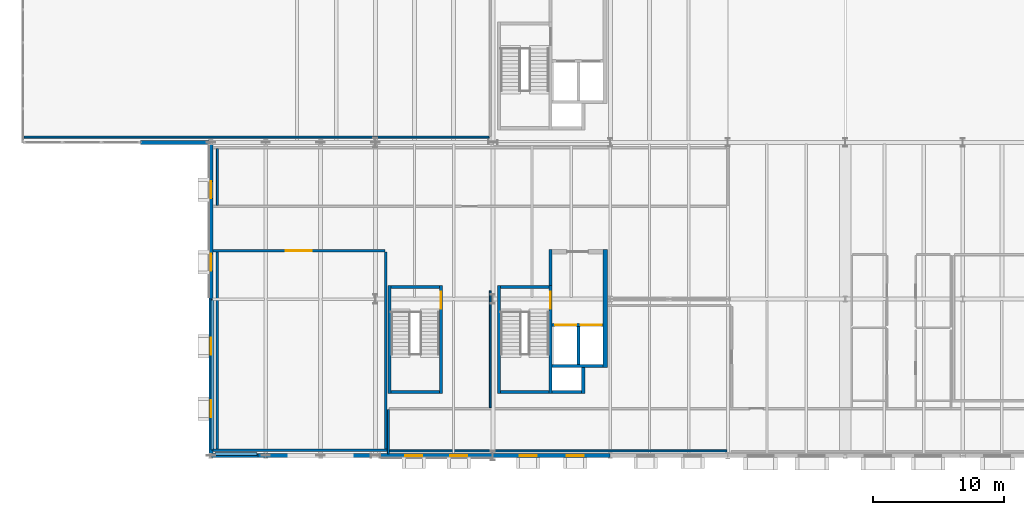
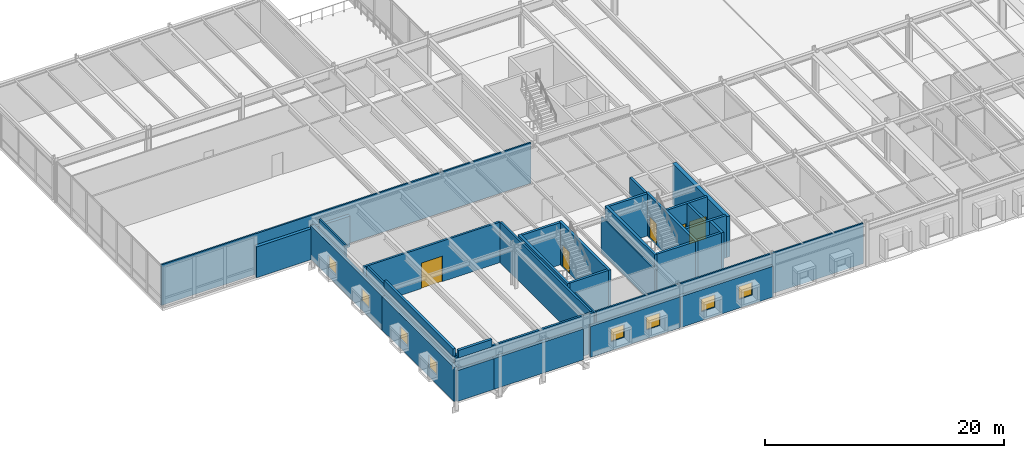
# One storey, part 102 of 115: 33 walls, 8 windows, 5 doors, 13 openings.
"""IFC4 building model written with IfcOpenShell, lengths in metres."""

from ifc_helpers import new_model, si_unit, direction, frame, frame_2d, origin, place, context, subcontext, project, spatial, rectangle, extrude, material, layer, layer_set, type_object, element, fill, save


model = new_model("IFC4")

# Units and contexts
model_context = context("Model", 3, precision=1e-05, world=origin(), true_north=direction((0.0, 1.0)))
body_context = subcontext(model_context, "Body", "Model", "MODEL_VIEW")
ifc_project = project(units=[si_unit("LENGTHUNIT", "METRE"), si_unit("AREAUNIT", "SQUARE_METRE"), si_unit("VOLUMEUNIT", "CUBIC_METRE"), si_unit("PLANEANGLEUNIT", "RADIAN"), si_unit("MASSUNIT", "GRAM", prefix="KILO")], contexts=[model_context])

# Site, building, storey
site_placement = place(None, origin())
site = spatial("IfcSite", under=ifc_project, at=site_placement, CompositionType="ELEMENT")
building_placement = place(site_placement, origin())
building = spatial("IfcBuilding", under=site, at=building_placement, Name="Montelvaro Courts of Justice", CompositionType="ELEMENT")
storey_placement = place(building_placement, frame((0.0, 0.0, 9.89990234375)))
storey = spatial("IfcBuildingStorey", under=building, at=storey_placement, Name="L02", CompositionType="ELEMENT", Elevation=9.89990234375)

# Walls
ifc_material_1 = material(Name="Gypsum board on metal stud")
ifc_layer_1 = layer(ifc_material_1, 0.14990234375)
ifc_layer_set_1 = layer_set([ifc_layer_1], Name="Gypsum board on metal stud")
wall_type_1 = type_object("IfcWallType", Name="ChambersPartition_150", PredefinedType="PARTITIONING", material=ifc_layer_set_1)
wall_1_placement = place(storey_placement, frame((71.919921875, 0.360107421875, 0.0), z_axis=(0.0, 0.0, 1.0), x_axis=(-1.0, 0.0, 0.0)))
element("IfcWall", 1, at=wall_1_placement, inside=storey, type_object=wall_type_1, Name="Interior Partition IW-04 (L02)", PredefinedType="PARTITIONING", context=body_context, shape_type="SweptSolid", body=[
    extrude(rectangle(XDim=25.83984375, YDim=0.14990234375, at=frame_2d((12.919921875, 0.0))), origin(), (0.0, 0.0, 1.0), 4.14013671875),
])
wall_2_placement = place(storey_placement, frame((46.0, 0.14501953125, 0.0), z_axis=(0.0, 0.0, 1.0), x_axis=(0.0, 1.0, 0.0)))
element("IfcWall", 2, at=wall_2_placement, inside=storey, type_object=wall_type_1, Name="Interior Partition IW-04 (L02)", PredefinedType="PARTITIONING", context=body_context, shape_type="SweptSolid", body=[
    extrude(rectangle(XDim=3.375, YDim=0.14990234375, at=frame_2d((1.6875, 0.0))), origin(), (0.0, 0.0, 1.0), 4.14013671875),
])
wall_3_placement = place(storey_placement, frame((53.719970703125, 24.39990234375, 0.0), z_axis=(0.0, 0.0, 1.0), x_axis=(-1.0, 0.0, 0.0)))
element("IfcWall", 3, at=wall_3_placement, inside=storey, type_object=wall_type_1, Name="Interior Partition IW-04 (L02)", PredefinedType="PARTITIONING", context=body_context, shape_type="SweptSolid", body=[
    extrude(rectangle(XDim=35.64501953125, YDim=0.14990234375, at=frame_2d((17.822509765625, 0.0))), origin(), (0.0, 0.0, 1.0), 4.14013671875),
])
wall_4_placement = place(storey_placement, frame((32.89990234375, 19.169921875, 0.0), z_axis=(0.0, 0.0, 1.0), x_axis=(0.0, 1.0, 0.0)))
element("IfcWall", 4, at=wall_4_placement, inside=storey, type_object=wall_type_1, Name="Interior Partition IW-04 (L02)", PredefinedType="PARTITIONING", context=body_context, shape_type="SweptSolid", body=[
    extrude(rectangle(XDim=4.360107421875, YDim=0.14990234375, at=frame_2d((2.18017578125, 0.0))), origin(), (0.0, 0.0, 1.0), 4.14013671875),
])
ifc_material_2 = material(Name="Concrete C40/50", Category="concrete")
ifc_layer_2 = layer(ifc_material_2, 0.360107421875)
ifc_layer_set_2 = layer_set([ifc_layer_2], Name="Concrete C40/50")
wall_type_2 = type_object("IfcWallType", Name="CoreWall_360", PredefinedType="SHEAR", material=ifc_layer_set_2)
wall_5_placement = place(storey_placement, frame((62.6201171875, 6.760009765625, 0.0), z_axis=(0.0, 0.0, 1.0), x_axis=(0.0, 1.0, 0.0)))
element("IfcWall", 5, at=wall_5_placement, inside=storey, type_object=wall_type_2, Name="Core Shear Wall CW-01 K1-E (L02)", PredefinedType="SHEAR", context=body_context, shape_type="SweptSolid", body=[
    extrude(rectangle(XDim=9.0400390625, YDim=0.360107421875, at=frame_2d((4.52001953125, 0.0))), origin(), (0.0, 0.0, 1.0), 4.16015625),
])
ifc_material_3 = material(Name="Gypsum acoustic double stud with mineral wool")
ifc_layer_3 = layer(ifc_material_3, 0.199951171875)
ifc_layer_set_3 = layer_set([ifc_layer_3], Name="Gypsum acoustic double stud with mineral wool")
wall_type_3 = type_object("IfcWallType", Name="CourtAcousticWall_200", PredefinedType="PARTITIONING", material=ifc_layer_set_3)
wall_6_placement = place(storey_placement, frame((45.929931640625, 0.39990234375, 0.0), z_axis=(0.0, 0.0, 1.0), x_axis=(-1.0, 0.0, 0.0)))
element("IfcWall", 6, at=wall_6_placement, inside=storey, type_object=wall_type_3, Name="Interior Partition IW-01 (L02)", PredefinedType="PARTITIONING", context=body_context, shape_type="SweptSolid", body=[
    extrude(rectangle(XDim=13.385009765625, YDim=0.199951171875, at=frame_2d((6.6923828125, 0.0))), origin(), (0.0, 0.0, 1.0), 4.14013671875),
])
wall_7_placement = place(storey_placement, frame((32.89990234375, 0.47998046875, 0.0), z_axis=(0.0, 0.0, 1.0), x_axis=(0.0, 1.0, 0.0)))
element("IfcWall", 7, at=wall_7_placement, inside=storey, type_object=wall_type_3, Name="Interior Partition IW-01 (L02)", PredefinedType="PARTITIONING", context=body_context, shape_type="SweptSolid", body=[
    extrude(rectangle(XDim=15.14013671875, YDim=0.199951171875, at=frame_2d((7.570068359375, 0.0))), origin(), (0.0, 0.0, 1.0), 4.14013671875),
])

# Wall, opening, door
wall_8_placement = place(storey_placement, frame((32.544921875, 15.699951171875, 0.0), z_axis=(0.0, 0.0, 1.0), x_axis=(1.0, 0.0, 0.0)))
wall_8 = element("IfcWall", 8, at=wall_8_placement, inside=storey, type_object=wall_type_3, Name="Interior Partition IW-01 (L02)", PredefinedType="PARTITIONING", context=body_context, shape_type="SweptSolid", body=[
    extrude(rectangle(XDim=13.175048828125, YDim=0.199951171875, at=frame_2d((6.58740234375, 0.0))), origin(), (0.0, 0.0, 1.0), 4.14013671875),
])
opening_1_placement = place(wall_8_placement, frame((5.5869140625, 0.0, 0.0)))
opening_1 = element("IfcOpeningElement", 9, at=opening_1_placement, cuts=wall_8, Name="Opening D-L02-096", PredefinedType="OPENING", context=body_context, shape_type="SweptSolid", body=[
    extrude(rectangle(XDim=2.0, YDim=2.60009765625, at=frame_2d((1.0, 1.300048828125))), frame((0.0, 0.11474609375, 0.0), z_axis=(0.0, -1.0, 0.0), x_axis=(1.0, 0.0, 0.0)), (0.0, 0.0, 1.0), 0.229736328125),
])
ifc_material_4 = material(Name="Acoustic oak timber veneer", Category="wood")
door_type_1 = type_object("IfcDoorType", Name="CourtDoor_200x260", OperationType="DOUBLE_DOOR_SINGLE_SWING", PredefinedType="DOOR", material=ifc_material_4)
door_1_placement = place(opening_1_placement, origin())
door_1 = element("IfcDoor", 10, at=door_1_placement, inside=storey, type_object=door_type_1, Name="Interior Door D-L02-096 (West Cantilever Civil Hearing Room 11)", OperationType="DOUBLE_DOOR_SINGLE_SWING", OverallHeight=2.60009765625, OverallWidth=2.0, PredefinedType="DOOR", context=body_context, shape_type="SweptSolid", body=[
    extrude(rectangle(XDim=2.0, YDim=2.60009765625, at=frame_2d((1.0, 1.300048828125))), frame((0.0, 0.02490234375, 0.0), z_axis=(0.0, -1.0, 0.0), x_axis=(1.0, 0.0, 0.0)), (0.0, 0.0, 1.0), 0.050048828125),
])
fill(opening_1, door_1)

# Walls
wall_9_placement = place(storey_placement, frame((45.800048828125, 15.6201171875, 0.0), z_axis=(0.0, 0.0, 1.0), x_axis=(0.0, -1.0, 0.0)))
element("IfcWall", 11, at=wall_9_placement, inside=storey, type_object=wall_type_3, Name="Interior Partition IW-01 (L02)", PredefinedType="PARTITIONING", context=body_context, shape_type="SweptSolid", body=[
    extrude(rectangle(XDim=15.14013671875, YDim=0.199951171875, at=frame_2d((7.570068359375, 0.0))), origin(), (0.0, 0.0, 1.0), 4.14013671875),
])
ifc_material_5 = material(Name="White mineral precast concrete C45/55", Category="concrete")
ifc_layer_4 = layer(ifc_material_5, 0.300048828125)
ifc_layer_set_4 = layer_set([ifc_layer_4], Name="White mineral precast concrete C45/55")
wall_type_4 = type_object("IfcWallType", Name="ExtWall_GFRC_300", PredefinedType="SOLIDWALL", material=ifc_layer_set_4)
wall_10_placement = place(storey_placement, frame((26.989990234375, 24.0, 0.0), z_axis=(0.0, 0.0, 1.0), x_axis=(1.0, 0.0, 0.0)))
element("IfcWall", 12, at=wall_10_placement, inside=storey, type_object=wall_type_4, Name="Exterior Facade Wall EW-02 (L02)", PredefinedType="SOLIDWALL", context=body_context, shape_type="SweptSolid", body=[
    extrude(rectangle(XDim=9.02001953125, YDim=0.300048828125, at=frame_2d((4.510009765625, 0.0))), origin(), (0.0, 0.0, 1.0), 3.147216796875),
])
wall_11_placement = place(storey_placement, frame((32.43994140625, 0.0, 0.0), z_axis=(0.0, 0.0, 1.0), x_axis=(1.0, 0.0, 0.0)))
element("IfcWall", 13, at=wall_11_placement, inside=storey, type_object=wall_type_4, Name="Exterior Facade Wall EW-02 (L02)", PredefinedType="SOLIDWALL", context=body_context, shape_type="SweptSolid", body=[
    extrude(rectangle(XDim=3.570068359375, YDim=0.300048828125, at=frame_2d((1.78515625, 0.0))), origin(), (0.0, 0.0, 1.0), 3.147216796875),
])
wall_12_placement = place(storey_placement, frame((35.989990234375, 0.0, 0.0), z_axis=(0.0, 0.0, 1.0), x_axis=(1.0, 0.0, 0.0)))
element("IfcWall", 14, at=wall_12_placement, inside=storey, type_object=wall_type_4, Name="Exterior Facade Wall EW-02 (L02)", PredefinedType="SOLIDWALL", context=body_context, shape_type="SweptSolid", body=[
    extrude(rectangle(XDim=8.654052734375, YDim=0.300048828125, at=frame_2d((4.3271484375, 0.0))), origin(), (0.0, 0.0, 1.0), 3.147216796875),
])

# Wall, openings, windows
wall_13_placement = place(storey_placement, frame((45.35595703125, 0.0, 0.0), z_axis=(0.0, 0.0, 1.0), x_axis=(1.0, 0.0, 0.0)))
wall_13 = element("IfcWall", 15, at=wall_13_placement, inside=storey, type_object=wall_type_4, Name="Exterior Facade Wall EW-02 (L02)", PredefinedType="SOLIDWALL", context=body_context, shape_type="SweptSolid", body=[
    extrude(rectangle(XDim=8.635986328125, YDim=0.300048828125, at=frame_2d((4.31787109375, 0.0))), origin(), (0.0, 0.0, 1.0), 3.147216796875),
])
opening_2_placement = place(wall_13_placement, frame((1.94091796875, 0.0, 0.89990234375)))
opening_2 = element("IfcOpeningElement", 16, at=opening_2_placement, cuts=wall_13, Name="Opening WE-18", PredefinedType="OPENING", context=body_context, shape_type="SweptSolid", body=[
    extrude(rectangle(XDim=1.300048828125, YDim=1.300048828125, at=frame_2d((0.64990234375, 0.64990234375))), frame((0.0, 0.1650390625, 0.0), z_axis=(0.0, -1.0, 0.0), x_axis=(1.0, 0.0, 0.0)), (0.0, 0.0, 1.0), 0.329833984375),
])
opening_3_placement = place(wall_13_placement, frame((5.39501953125, 0.0, 0.89990234375)))
opening_3 = element("IfcOpeningElement", 17, at=opening_3_placement, cuts=wall_13, Name="Opening WE-18", PredefinedType="OPENING", context=body_context, shape_type="SweptSolid", body=[
    extrude(rectangle(XDim=1.300048828125, YDim=1.300048828125, at=frame_2d((0.64990234375, 0.64990234375))), frame((0.0, 0.1650390625, 0.0), z_axis=(0.0, -1.0, 0.0), x_axis=(1.0, 0.0, 0.0)), (0.0, 0.0, 1.0), 0.329833984375),
])
ifc_material_6 = material(Name="Low-E solar control double glazing", Category="glass")
window_type = type_object("IfcWindowType", Name="Win_Sq_130x130", PartitioningType="SINGLE_PANEL", PredefinedType="WINDOW", material=ifc_material_6)
window_1_placement = place(opening_2_placement, origin())
window_1 = element("IfcWindow", 18, at=window_1_placement, inside=storey, type_object=window_type, Name="Window W-L02-109", OverallHeight=1.300048828125, OverallWidth=1.300048828125, PartitioningType="SINGLE_PANEL", PredefinedType="WINDOW", context=body_context, shape_type="SweptSolid", body=[
    extrude(rectangle(XDim=1.300048828125, YDim=1.300048828125, at=frame_2d((0.64990234375, 0.64990234375))), frame((0.0, 0.030029296875, 0.0), z_axis=(0.0, -1.0, 0.0), x_axis=(1.0, 0.0, 0.0)), (0.0, 0.0, 1.0), 0.06005859375),
])
fill(opening_2, window_1)
window_2_placement = place(opening_3_placement, origin())
window_2 = element("IfcWindow", 19, at=window_2_placement, inside=storey, type_object=window_type, Name="Window W-L02-110", OverallHeight=1.300048828125, OverallWidth=1.300048828125, PartitioningType="SINGLE_PANEL", PredefinedType="WINDOW", context=body_context, shape_type="SweptSolid", body=[
    extrude(rectangle(XDim=1.300048828125, YDim=1.300048828125, at=frame_2d((0.64990234375, 0.64990234375))), frame((0.0, 0.030029296875, 0.0), z_axis=(0.0, -1.0, 0.0), x_axis=(1.0, 0.0, 0.0)), (0.0, 0.0, 1.0), 0.06005859375),
])
fill(opening_3, window_2)

wall_14_placement = place(storey_placement, frame((54.008056640625, 0.0, 0.0), z_axis=(0.0, 0.0, 1.0), x_axis=(1.0, 0.0, 0.0)))
wall_14 = element("IfcWall", 20, at=wall_14_placement, inside=storey, type_object=wall_type_4, Name="Exterior Facade Wall EW-02 (L02)", PredefinedType="SOLIDWALL", context=body_context, shape_type="SweptSolid", body=[
    extrude(rectangle(XDim=8.98388671875, YDim=0.300048828125, at=frame_2d((4.491943359375, 0.0))), origin(), (0.0, 0.0, 1.0), 3.147216796875),
])
opening_4_placement = place(wall_14_placement, frame((2.044921875, 0.0, 0.89990234375)))
opening_4 = element("IfcOpeningElement", 21, at=opening_4_placement, cuts=wall_14, Name="Opening WE-18", PredefinedType="OPENING", context=body_context, shape_type="SweptSolid", body=[
    extrude(rectangle(XDim=1.300048828125, YDim=1.300048828125, at=frame_2d((0.64990234375, 0.64990234375))), frame((0.0, 0.1650390625, 0.0), z_axis=(0.0, -1.0, 0.0), x_axis=(1.0, 0.0, 0.0)), (0.0, 0.0, 1.0), 0.329833984375),
])
opening_5_placement = place(wall_14_placement, frame((5.638916015625, 0.0, 0.89990234375)))
opening_5 = element("IfcOpeningElement", 22, at=opening_5_placement, cuts=wall_14, Name="Opening WE-18", PredefinedType="OPENING", context=body_context, shape_type="SweptSolid", body=[
    extrude(rectangle(XDim=1.300048828125, YDim=1.300048828125, at=frame_2d((0.64990234375, 0.64990234375))), frame((0.0, 0.1650390625, 0.0), z_axis=(0.0, -1.0, 0.0), x_axis=(1.0, 0.0, 0.0)), (0.0, 0.0, 1.0), 0.329833984375),
])
window_3_placement = place(opening_4_placement, origin())
window_3 = element("IfcWindow", 23, at=window_3_placement, inside=storey, type_object=window_type, Name="Window W-L02-111", OverallHeight=1.300048828125, OverallWidth=1.300048828125, PartitioningType="SINGLE_PANEL", PredefinedType="WINDOW", context=body_context, shape_type="SweptSolid", body=[
    extrude(rectangle(XDim=1.300048828125, YDim=1.300048828125, at=frame_2d((0.64990234375, 0.64990234375))), frame((0.0, 0.030029296875, 0.0), z_axis=(0.0, -1.0, 0.0), x_axis=(1.0, 0.0, 0.0)), (0.0, 0.0, 1.0), 0.06005859375),
])
fill(opening_4, window_3)
window_4_placement = place(opening_5_placement, origin())
window_4 = element("IfcWindow", 24, at=window_4_placement, inside=storey, type_object=window_type, Name="Window W-L02-112", OverallHeight=1.300048828125, OverallWidth=1.300048828125, PartitioningType="SINGLE_PANEL", PredefinedType="WINDOW", context=body_context, shape_type="SweptSolid", body=[
    extrude(rectangle(XDim=1.300048828125, YDim=1.300048828125, at=frame_2d((0.64990234375, 0.64990234375))), frame((0.0, 0.030029296875, 0.0), z_axis=(0.0, -1.0, 0.0), x_axis=(1.0, 0.0, 0.0)), (0.0, 0.0, 1.0), 0.06005859375),
])
fill(opening_5, window_4)

wall_15_placement = place(storey_placement, frame((32.39990234375, 23.9599609375, 0.0), z_axis=(0.0, 0.0, 1.0), x_axis=(0.0, -1.0, 0.0)))
wall_15 = element("IfcWall", 25, at=wall_15_placement, inside=storey, type_object=wall_type_4, Name="Exterior Facade Wall EW-02 (L02)", PredefinedType="SOLIDWALL", context=body_context, shape_type="SweptSolid", body=[
    extrude(rectangle(XDim=11.969970703125, YDim=0.300048828125, at=frame_2d((5.98486328125, 0.0))), origin(), (0.0, 0.0, 1.0), 3.455078125),
])
opening_6_placement = place(wall_15_placement, frame((2.94091796875, 0.0, 0.89990234375)))
opening_6 = element("IfcOpeningElement", 26, at=opening_6_placement, cuts=wall_15, Name="Opening WE-18", PredefinedType="OPENING", context=body_context, shape_type="SweptSolid", body=[
    extrude(rectangle(XDim=1.300048828125, YDim=1.300048828125, at=frame_2d((0.64990234375, 0.64990234375))), frame((0.0, 0.1650390625, 0.0), z_axis=(0.0, -1.0, 0.0), x_axis=(1.0, 0.0, 0.0)), (0.0, 0.0, 1.0), 0.329833984375),
])
opening_7_placement = place(wall_15_placement, frame((8.5, 0.0, 0.89990234375)))
opening_7 = element("IfcOpeningElement", 27, at=opening_7_placement, cuts=wall_15, Name="Opening WE-18", PredefinedType="OPENING", context=body_context, shape_type="SweptSolid", body=[
    extrude(rectangle(XDim=1.300048828125, YDim=1.300048828125, at=frame_2d((0.64990234375, 0.64990234375))), frame((0.0, 0.1650390625, 0.0), z_axis=(0.0, -1.0, 0.0), x_axis=(1.0, 0.0, 0.0)), (0.0, 0.0, 1.0), 0.329833984375),
])
window_5_placement = place(opening_6_placement, origin())
window_5 = element("IfcWindow", 28, at=window_5_placement, inside=storey, type_object=window_type, Name="Window W-L02-117", OverallHeight=1.300048828125, OverallWidth=1.300048828125, PartitioningType="SINGLE_PANEL", PredefinedType="WINDOW", context=body_context, shape_type="SweptSolid", body=[
    extrude(rectangle(XDim=1.300048828125, YDim=1.300048828125, at=frame_2d((0.64990234375, 0.64990234375))), frame((0.0, 0.030029296875, 0.0), z_axis=(0.0, -1.0, 0.0), x_axis=(1.0, 0.0, 0.0)), (0.0, 0.0, 1.0), 0.06005859375),
])
fill(opening_6, window_5)
window_6_placement = place(opening_7_placement, origin())
window_6 = element("IfcWindow", 29, at=window_6_placement, inside=storey, type_object=window_type, Name="Window W-L02-118", OverallHeight=1.300048828125, OverallWidth=1.300048828125, PartitioningType="SINGLE_PANEL", PredefinedType="WINDOW", context=body_context, shape_type="SweptSolid", body=[
    extrude(rectangle(XDim=1.300048828125, YDim=1.300048828125, at=frame_2d((0.64990234375, 0.64990234375))), frame((0.0, 0.030029296875, 0.0), z_axis=(0.0, -1.0, 0.0), x_axis=(1.0, 0.0, 0.0)), (0.0, 0.0, 1.0), 0.06005859375),
])
fill(opening_7, window_6)

wall_16_placement = place(storey_placement, frame((32.39990234375, 12.010009765625, 0.0), z_axis=(0.0, 0.0, 1.0), x_axis=(0.0, -1.0, 0.0)))
wall_16 = element("IfcWall", 30, at=wall_16_placement, inside=storey, type_object=wall_type_4, Name="Exterior Facade Wall EW-02 (L02)", PredefinedType="SOLIDWALL", context=body_context, shape_type="SweptSolid", body=[
    extrude(rectangle(XDim=12.050048828125, YDim=0.300048828125, at=frame_2d((6.02490234375, 0.0))), origin(), (0.0, 0.0, 1.0), 3.455078125),
])
opening_8_placement = place(wall_16_placement, frame((2.965087890625, 0.0, 0.89990234375)))
opening_8 = element("IfcOpeningElement", 31, at=opening_8_placement, cuts=wall_16, Name="Opening WE-18", PredefinedType="OPENING", context=body_context, shape_type="SweptSolid", body=[
    extrude(rectangle(XDim=1.300048828125, YDim=1.300048828125, at=frame_2d((0.64990234375, 0.64990234375))), frame((0.0, 0.1650390625, 0.0), z_axis=(0.0, -1.0, 0.0), x_axis=(1.0, 0.0, 0.0)), (0.0, 0.0, 1.0), 0.329833984375),
])
opening_9_placement = place(wall_16_placement, frame((7.784912109375, 0.0, 0.89990234375)))
opening_9 = element("IfcOpeningElement", 32, at=opening_9_placement, cuts=wall_16, Name="Opening WE-18", PredefinedType="OPENING", context=body_context, shape_type="SweptSolid", body=[
    extrude(rectangle(XDim=1.300048828125, YDim=1.300048828125, at=frame_2d((0.64990234375, 0.64990234375))), frame((0.0, 0.1650390625, 0.0), z_axis=(0.0, -1.0, 0.0), x_axis=(1.0, 0.0, 0.0)), (0.0, 0.0, 1.0), 0.329833984375),
])
window_7_placement = place(opening_8_placement, origin())
window_7 = element("IfcWindow", 33, at=window_7_placement, inside=storey, type_object=window_type, Name="Window W-L02-119", OverallHeight=1.300048828125, OverallWidth=1.300048828125, PartitioningType="SINGLE_PANEL", PredefinedType="WINDOW", context=body_context, shape_type="SweptSolid", body=[
    extrude(rectangle(XDim=1.300048828125, YDim=1.300048828125, at=frame_2d((0.64990234375, 0.64990234375))), frame((0.0, 0.030029296875, 0.0), z_axis=(0.0, -1.0, 0.0), x_axis=(1.0, 0.0, 0.0)), (0.0, 0.0, 1.0), 0.06005859375),
])
fill(opening_8, window_7)
window_8_placement = place(opening_9_placement, origin())
window_8 = element("IfcWindow", 34, at=window_8_placement, inside=storey, type_object=window_type, Name="Window W-L02-120", OverallHeight=1.300048828125, OverallWidth=1.300048828125, PartitioningType="SINGLE_PANEL", PredefinedType="WINDOW", context=body_context, shape_type="SweptSolid", body=[
    extrude(rectangle(XDim=1.300048828125, YDim=1.300048828125, at=frame_2d((0.64990234375, 0.64990234375))), frame((0.0, 0.030029296875, 0.0), z_axis=(0.0, -1.0, 0.0), x_axis=(1.0, 0.0, 0.0)), (0.0, 0.0, 1.0), 0.06005859375),
])
fill(opening_9, window_8)

# Walls
ifc_layer_5 = layer(ifc_material_1, 0.1201171875)
ifc_layer_set_5 = layer_set([ifc_layer_5], Name="Gypsum board on metal stud")
wall_type_5 = type_object("IfcWallType", Name="OfficePartition_120", PredefinedType="PARTITIONING", material=ifc_layer_set_5)
wall_17_placement = place(storey_placement, frame((53.800048828125, 12.6201171875, 0.0), z_axis=(0.0, 0.0, 1.0), x_axis=(0.0, -1.0, 0.0)))
element("IfcWall", 35, at=wall_17_placement, inside=storey, type_object=wall_type_5, Name="Interior Partition IW-05 (L02)", PredefinedType="PARTITIONING", context=body_context, shape_type="SweptSolid", body=[
    extrude(rectangle(XDim=8.9501953125, YDim=0.1201171875, at=frame_2d((4.47509765625, 0.0))), origin(), (0.0, 0.0, 1.0), 3.68505859375),
])
ifc_layer_6 = layer(ifc_material_5, 0.239990234375)
ifc_layer_set_6 = layer_set([ifc_layer_6], Name="White mineral precast concrete C45/55")
wall_type_6 = type_object("IfcWallType", Name="ParapetWall_240", PredefinedType="PARAPET", material=ifc_layer_set_6)
wall_18_placement = place(storey_placement, frame((32.699951171875, 0.1201171875, 4.280029296875), z_axis=(0.0, 0.0, 1.0), x_axis=(1.0, 0.0, 0.0)))
element("IfcWall", 36, at=wall_18_placement, inside=storey, type_object=wall_type_6, Name="Roof Parapet PW-01 L02-018", PredefinedType="PARAPET", context=body_context, shape_type="SweptSolid", body=[
    extrude(rectangle(XDim=3.239990234375, YDim=0.239990234375, at=frame_2d((1.6201171875, 0.0))), origin(), (0.0, 0.0, 1.0), 0.77001953125),
])
wall_19_placement = place(storey_placement, frame((32.52001953125, 0.419921875, 4.280029296875), z_axis=(0.0, 0.0, 1.0), x_axis=(0.0, 1.0, 0.0)))
element("IfcWall", 37, at=wall_19_placement, inside=storey, type_object=wall_type_6, Name="Roof Parapet PW-01 L02-020", PredefinedType="PARAPET", context=body_context, shape_type="SweptSolid", body=[
    extrude(rectangle(XDim=11.52001953125, YDim=0.239990234375, at=frame_2d((5.760009765625, 0.0))), origin(), (0.0, 0.0, 1.0), 0.77001953125),
])
ifc_material_7 = material(Name="Concrete C35/45", Category="concrete")
ifc_layer_7 = layer(ifc_material_7, 0.239990234375)
ifc_layer_set_7 = layer_set([ifc_layer_7], Name="Concrete C35/45")
wall_type_7 = type_object("IfcWallType", Name="ShaftWall_240", PredefinedType="SHEAR", material=ifc_layer_set_7)
wall_20_placement = place(storey_placement, frame((54.47998046875, 4.760009765625, 0.0), z_axis=(0.0, 0.0, 1.0), x_axis=(0.0, 1.0, 0.0)))
element("IfcWall", 38, at=wall_20_placement, inside=storey, type_object=wall_type_7, Name="Protected Stair Structural Wall ST-K1-W (L02)", PredefinedType="SHEAR", context=body_context, shape_type="SweptSolid", body=[
    extrude(rectangle(XDim=8.280029296875, YDim=0.239990234375, at=frame_2d((4.14013671875, 0.0))), origin(), (0.0, 0.0, 1.0), 4.31005859375),
])

# Wall, opening, door
wall_21_placement = place(storey_placement, frame((58.419921875, 4.760009765625, 0.0), z_axis=(0.0, 0.0, 1.0), x_axis=(0.0, 1.0, 0.0)))
wall_21 = element("IfcWall", 39, at=wall_21_placement, inside=storey, type_object=wall_type_7, Name="Protected Stair Structural Wall ST-K1-E (L02)", PredefinedType="SHEAR", context=body_context, shape_type="SweptSolid", body=[
    extrude(rectangle(XDim=8.280029296875, YDim=0.239990234375, at=frame_2d((4.14013671875, 0.0))), origin(), (0.0, 0.0, 1.0), 4.31005859375),
])
opening_10_placement = place(wall_21_placement, frame((6.489990234375, 0.0, 0.0)))
opening_10 = element("IfcOpeningElement", 40, at=opening_10_placement, cuts=wall_21, Name="Opening DS-L02-K1", PredefinedType="OPENING", context=body_context, shape_type="SweptSolid", body=[
    extrude(rectangle(XDim=1.300048828125, YDim=2.199951171875, at=frame_2d((0.64990234375, 1.10009765625))), frame((0.0, 0.134765625, 0.0), z_axis=(0.0, -1.0, 0.0), x_axis=(1.0, 0.0, 0.0)), (0.0, 0.0, 1.0), 0.269775390625),
])
ifc_material_8 = material(Name="Galvanised steel S355 security door", Category="steel")
door_type_2 = type_object("IfcDoorType", Name="StairFireDoor_130x220", OperationType="NOTDEFINED", PredefinedType="DOOR", material=ifc_material_8)
door_2_placement = place(opening_10_placement, frame((1.300048828125, 0.0, 0.0), z_axis=(0.0, 0.0, 1.0), x_axis=(-1.0, 0.0, 0.0)))
door_2 = element("IfcDoor", 41, at=door_2_placement, inside=storey, type_object=door_type_2, Name="Protected Stair Fire Door DS-L02-K1", OperationType="SINGLE_SWING_RIGHT", OverallHeight=2.199951171875, OverallWidth=1.300048828125, PredefinedType="DOOR", context=body_context, shape_type="SweptSolid", body=[
    extrude(rectangle(XDim=1.300048828125, YDim=2.199951171875, at=frame_2d((0.64990234375, 1.10009765625))), frame((0.0, 0.02490234375, 0.0), z_axis=(0.0, -1.0, 0.0), x_axis=(1.0, 0.0, 0.0)), (0.0, 0.0, 1.0), 0.050048828125),
])
fill(opening_10, door_2)

# Walls
for number, where, z_axis, x_axis, name in (
    (42, (54.60009765625, 4.8798828125, 0.0), (0.0, 0.0, 1.0), (1.0, 0.0, 0.0), "Protected Stair Structural Wall ST-K1-S (L02)"),
    (43, (54.60009765625, 12.919921875, 0.0), (0.0, 0.0, 1.0), (1.0, 0.0, 0.0), "Protected Stair Structural Wall ST-K1-N (L02)"),
):
    element("IfcWall", number, at=place(storey_placement, frame(where, z_axis=z_axis, x_axis=x_axis)), inside=storey, type_object=wall_type_7, Name=name, PredefinedType="SHEAR", context=body_context, shape_type="SweptSolid", body=[
        extrude(rectangle(XDim=3.699951171875, YDim=0.239990234375, at=frame_2d((1.85009765625, 0.0))), origin(), (0.0, 0.0, 1.0), 4.31005859375),
    ])
wall_22_placement = place(storey_placement, frame((46.080078125, 4.760009765625, 0.0), z_axis=(0.0, 0.0, 1.0), x_axis=(0.0, 1.0, 0.0)))
element("IfcWall", 44, at=wall_22_placement, inside=storey, type_object=wall_type_7, Name="Protected Stair Structural Wall ST-E1-W (L02)", PredefinedType="SHEAR", context=body_context, shape_type="SweptSolid", body=[
    extrude(rectangle(XDim=8.280029296875, YDim=0.239990234375, at=frame_2d((4.14013671875, 0.0))), origin(), (0.0, 0.0, 1.0), 4.31005859375),
])

# Wall, opening, door
wall_23_placement = place(storey_placement, frame((50.02001953125, 4.760009765625, 0.0), z_axis=(0.0, 0.0, 1.0), x_axis=(0.0, 1.0, 0.0)))
wall_23 = element("IfcWall", 45, at=wall_23_placement, inside=storey, type_object=wall_type_7, Name="Protected Stair Structural Wall ST-E1-E (L02)", PredefinedType="SHEAR", context=body_context, shape_type="SweptSolid", body=[
    extrude(rectangle(XDim=8.280029296875, YDim=0.239990234375, at=frame_2d((4.14013671875, 0.0))), origin(), (0.0, 0.0, 1.0), 4.31005859375),
])
opening_11_placement = place(wall_23_placement, frame((6.489990234375, 0.0, 0.0)))
opening_11 = element("IfcOpeningElement", 46, at=opening_11_placement, cuts=wall_23, Name="Opening DS-L02-SE1", PredefinedType="OPENING", context=body_context, shape_type="SweptSolid", body=[
    extrude(rectangle(XDim=1.300048828125, YDim=2.199951171875, at=frame_2d((0.64990234375, 1.10009765625))), frame((0.0, 0.134765625, 0.0), z_axis=(0.0, -1.0, 0.0), x_axis=(1.0, 0.0, 0.0)), (0.0, 0.0, 1.0), 0.269775390625),
])
door_3_placement = place(opening_11_placement, frame((1.300048828125, 0.0, 0.0), z_axis=(0.0, 0.0, 1.0), x_axis=(-1.0, 0.0, 0.0)))
door_3 = element("IfcDoor", 47, at=door_3_placement, inside=storey, type_object=door_type_2, Name="Protected Stair Fire Door DS-L02-SE1", OperationType="SINGLE_SWING_RIGHT", OverallHeight=2.199951171875, OverallWidth=1.300048828125, PredefinedType="DOOR", context=body_context, shape_type="SweptSolid", body=[
    extrude(rectangle(XDim=1.300048828125, YDim=2.199951171875, at=frame_2d((0.64990234375, 1.10009765625))), frame((0.0, 0.02490234375, 0.0), z_axis=(0.0, -1.0, 0.0), x_axis=(1.0, 0.0, 0.0)), (0.0, 0.0, 1.0), 0.050048828125),
])
fill(opening_11, door_3)

# Walls
for number, where, z_axis, x_axis, name in (
    (48, (46.199951171875, 4.8798828125, 0.0), (0.0, 0.0, 1.0), (1.0, 0.0, 0.0), "Protected Stair Structural Wall ST-E1-S (L02)"),
    (49, (46.199951171875, 12.919921875, 0.0), (0.0, 0.0, 1.0), (1.0, 0.0, 0.0), "Protected Stair Structural Wall ST-E1-N (L02)"),
):
    element("IfcWall", number, at=place(storey_placement, frame(where, z_axis=z_axis, x_axis=x_axis)), inside=storey, type_object=wall_type_7, Name=name, PredefinedType="SHEAR", context=body_context, shape_type="SweptSolid", body=[
        extrude(rectangle(XDim=3.699951171875, YDim=0.239990234375, at=frame_2d((1.85009765625, 0.0))), origin(), (0.0, 0.0, 1.0), 4.31005859375),
    ])
wall_24_placement = place(storey_placement, frame((58.419921875, 13.0400390625, 0.0), z_axis=(0.0, 0.0, 1.0), x_axis=(0.0, 1.0, 0.0)))
element("IfcWall", 50, at=wall_24_placement, inside=storey, type_object=wall_type_7, Name="Core Lobby Structural Wall K1-W (L02)", PredefinedType="SHEAR", context=body_context, shape_type="SweptSolid", body=[
    extrude(rectangle(XDim=2.760009765625, YDim=0.239990234375, at=frame_2d((1.3798828125, 0.0))), origin(), (0.0, 0.0, 1.0), 4.16015625),
])

# Wall, openings, doors
wall_25_placement = place(storey_placement, frame((58.5400390625, 10.02001953125, 0.0), z_axis=(0.0, 0.0, 1.0), x_axis=(1.0, 0.0, 0.0)))
wall_25 = element("IfcWall", 51, at=wall_25_placement, inside=storey, type_object=wall_type_7, Name="Lift Shaft Bank Wall K1 (L02)", PredefinedType="SHEAR", context=body_context, shape_type="SweptSolid", body=[
    extrude(rectangle(XDim=3.89990234375, YDim=0.239990234375, at=frame_2d((1.949951171875, 0.0))), origin(), (0.0, 0.0, 1.0), 4.31005859375),
])
opening_12_placement = place(wall_25_placement, frame((0.235107421875, 0.0, 0.0)))
opening_12 = element("IfcOpeningElement", 52, at=opening_12_placement, cuts=wall_25, Name="Opening LD-LF-01-L02", PredefinedType="OPENING", context=body_context, shape_type="SweptSolid", body=[
    extrude(rectangle(XDim=1.60009765625, YDim=2.300048828125, at=frame_2d((0.800048828125, 1.14990234375))), frame((0.0, 0.134765625, 0.0), z_axis=(0.0, -1.0, 0.0), x_axis=(1.0, 0.0, 0.0)), (0.0, 0.0, 1.0), 0.269775390625),
])
opening_13_placement = place(wall_25_placement, frame((2.18505859375, 0.0, 0.0)))
opening_13 = element("IfcOpeningElement", 53, at=opening_13_placement, cuts=wall_25, Name="Opening LD-LJ-01-L02", PredefinedType="OPENING", context=body_context, shape_type="SweptSolid", body=[
    extrude(rectangle(XDim=1.60009765625, YDim=2.300048828125, at=frame_2d((0.800048828125, 1.14990234375))), frame((0.0, 0.134765625, 0.0), z_axis=(0.0, -1.0, 0.0), x_axis=(1.0, 0.0, 0.0)), (0.0, 0.0, 1.0), 0.269775390625),
])
door_type_3 = type_object("IfcDoorType", Name="LiftDoor_160x230", OperationType="DOUBLE_DOOR_SLIDING", PredefinedType="DOOR", material=ifc_material_8)
door_4_placement = place(opening_12_placement, origin())
door_4 = element("IfcDoor", 54, at=door_4_placement, inside=storey, type_object=door_type_3, Name="Lift Landing Sliding Door LD-LF-01-L02", OperationType="DOUBLE_DOOR_SLIDING", OverallHeight=2.300048828125, OverallWidth=1.60009765625, PredefinedType="DOOR", context=body_context, shape_type="SweptSolid", body=[
    extrude(rectangle(XDim=1.60009765625, YDim=2.300048828125, at=frame_2d((0.800048828125, 1.14990234375))), frame((0.0, 0.02490234375, 0.0), z_axis=(0.0, -1.0, 0.0), x_axis=(1.0, 0.0, 0.0)), (0.0, 0.0, 1.0), 0.050048828125),
])
fill(opening_12, door_4)
door_5_placement = place(opening_13_placement, origin())
door_5 = element("IfcDoor", 55, at=door_5_placement, inside=storey, type_object=door_type_3, Name="Lift Landing Sliding Door LD-LJ-01-L02", OperationType="DOUBLE_DOOR_SLIDING", OverallHeight=2.300048828125, OverallWidth=1.60009765625, PredefinedType="DOOR", context=body_context, shape_type="SweptSolid", body=[
    extrude(rectangle(XDim=1.60009765625, YDim=2.300048828125, at=frame_2d((0.800048828125, 1.14990234375))), frame((0.0, 0.02490234375, 0.0), z_axis=(0.0, -1.0, 0.0), x_axis=(1.0, 0.0, 0.0)), (0.0, 0.0, 1.0), 0.050048828125),
])
fill(opening_13, door_5)

# Walls
wall_26_placement = place(storey_placement, frame((58.5400390625, 6.8798828125, 0.0), z_axis=(0.0, 0.0, 1.0), x_axis=(1.0, 0.0, 0.0)))
element("IfcWall", 56, at=wall_26_placement, inside=storey, type_object=wall_type_7, Name="Lift Shaft Back Wall K1 (L02)", PredefinedType="SHEAR", context=body_context, shape_type="SweptSolid", body=[
    extrude(rectangle(XDim=3.89990234375, YDim=0.239990234375, at=frame_2d((1.949951171875, 0.0))), origin(), (0.0, 0.0, 1.0), 4.31005859375),
])
wall_27_placement = place(storey_placement, frame((60.550048828125, 7.0, 0.0), z_axis=(0.0, 0.0, 1.0), x_axis=(0.0, 1.0, 0.0)))
element("IfcWall", 57, at=wall_27_placement, inside=storey, type_object=wall_type_7, Name="Lift Shaft Divider Wall K1-LFD1 (L02)", PredefinedType="SHEAR", context=body_context, shape_type="SweptSolid", body=[
    extrude(rectangle(XDim=2.89990234375, YDim=0.239990234375, at=frame_2d((1.449951171875, 0.0))), origin(), (0.0, 0.0, 1.0), 4.31005859375),
])
wall_28_placement = place(storey_placement, frame((60.919921875, 4.760009765625, 0.0), z_axis=(0.0, 0.0, 1.0), x_axis=(0.0, 1.0, 0.0)))
element("IfcWall", 58, at=wall_28_placement, inside=storey, type_object=wall_type_7, Name="Service Riser East Shaft Wall K1 (L02)", PredefinedType="SHEAR", context=body_context, shape_type="SweptSolid", body=[
    extrude(rectangle(XDim=2.0, YDim=0.239990234375, at=frame_2d((1.0, 0.0))), origin(), (0.0, 0.0, 1.0), 4.31005859375),
])
wall_29_placement = place(storey_placement, frame((58.5400390625, 4.8798828125, 0.0), z_axis=(0.0, 0.0, 1.0), x_axis=(1.0, 0.0, 0.0)))
element("IfcWall", 59, at=wall_29_placement, inside=storey, type_object=wall_type_7, Name="Service Riser South Shaft Wall K1 (L02)", PredefinedType="SHEAR", context=body_context, shape_type="SweptSolid", body=[
    extrude(rectangle(XDim=2.260009765625, YDim=0.239990234375, at=frame_2d((1.1298828125, 0.0))), origin(), (0.0, 0.0, 1.0), 4.31005859375),
])

save(model, "model.ifc")
